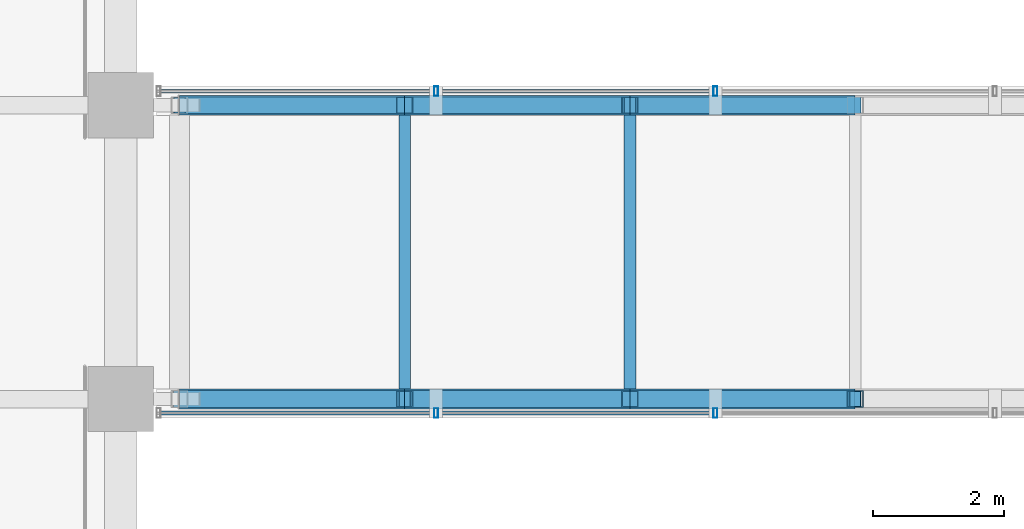
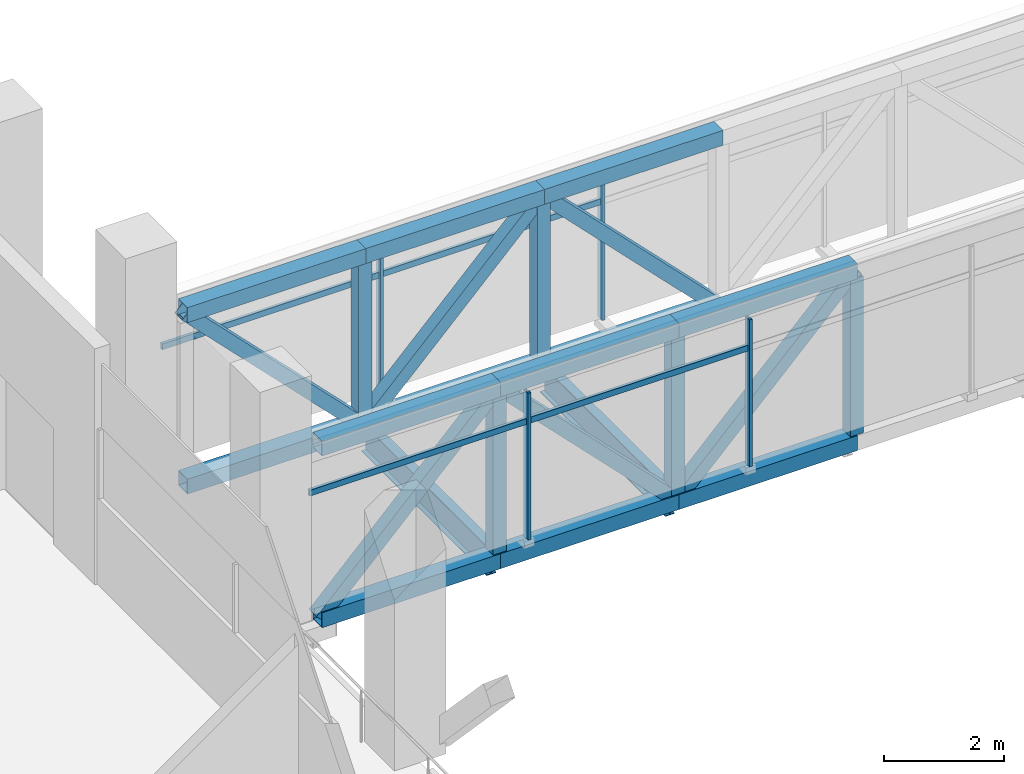
# One storey, part 13 of 48: 31 members, 2 beams, 2 elements without a shape of their own.
"""IFC4 building model written with IfcOpenShell, lengths in metres."""

from ifc_helpers import new_model, si_unit, direction, frame, origin, origin_2d, place, context, subcontext, project, spatial, hollow_rectangle, i_section, extrude, material, material_profile, profile_set, type_object, element, aggregate, save


model = new_model("IFC4")

# Units and contexts
model_context = context("Model", 3, precision=1e-05, world=origin(), true_north=direction((0.0, 1.0)))
body_context = subcontext(model_context, "Body", "Model", "MODEL_VIEW")
ifc_project = project(units=[si_unit("LENGTHUNIT", "METRE"), si_unit("AREAUNIT", "SQUARE_METRE"), si_unit("VOLUMEUNIT", "CUBIC_METRE"), si_unit("PLANEANGLEUNIT", "RADIAN"), si_unit("MASSUNIT", "GRAM", prefix="KILO")], contexts=[model_context])

# Site, building, storey
site_placement = place(None, origin())
site = spatial("IfcSite", under=ifc_project, at=site_placement, CompositionType="ELEMENT")
building_placement = place(site_placement, origin())
building = spatial("IfcBuilding", under=site, at=building_placement, Name="Altepetl Exchange Towers", CompositionType="ELEMENT")
storey_placement = place(building_placement, frame((0.0, 0.0, 138.800048828125)))
storey = spatial("IfcBuildingStorey", under=building, at=storey_placement, Name="L34 Refuge and sky lobby", CompositionType="ELEMENT", Elevation=138.800048828125)

# Members
ifc_material_1 = material(Name="Steel S355", Category="steel")
ifc_material_profile_1 = material_profile(ifc_material_1, hollow_rectangle(XDim=0.304931640625, YDim=0.304931640625, WallThickness=0.01171875, at=origin_2d()), Name="HSS305X305X12.7")
ifc_profile_set_1 = profile_set([ifc_material_profile_1], Name="Steel S355")
member_type_1 = type_object("IfcMemberType", Name="Bridge chord HSS305X305X12.7", PredefinedType="CHORD", material=ifc_profile_set_1)
for number, where, z_axis, x_axis, name in (
    (1, (72.89990234375, 45.0, -0.3525390625), (1.0, 0.0, 0.0), (0.0, 1.0, 0.0), "tr:X:L34:bc-s0"),
    (2, (72.89990234375, 45.0, 3.15234375), (1.0, 0.0, 0.0), (0.0, 1.0, 0.0), "tr:X:L34:tc-s0"),
):
    element("IfcMember", number, at=place(storey_placement, frame(where, z_axis=z_axis, x_axis=x_axis)), inside=storey, type_object=member_type_1, Name=name, PredefinedType="CHORD", context=body_context, shape_type="SweptSolid", body=[
        extrude(hollow_rectangle(XDim=0.304931640625, YDim=0.304931640625, WallThickness=0.01171875, at=origin_2d()), origin(), (0.0, 0.0, 1.0), 3.4501953125),
    ])
for number, where, z_axis, x_axis, name in (
    (3, (76.35009765625, 45.0, -0.3525390625), (1.0, 0.0, 0.0), (0.0, 1.0, 0.0), "tr:X:L34:bc-s1"),
    (4, (76.35009765625, 45.0, 3.15234375), (1.0, 0.0, 0.0), (0.0, 1.0, 0.0), "tr:X:L34:tc-s1"),
    (5, (79.800048828125, 45.0, -0.3525390625), (1.0, 0.0, 0.0), (0.0, 1.0, 0.0), "tr:X:L34:bc-s2"),
    (6, (79.800048828125, 45.0, 3.15234375), (1.0, 0.0, 0.0), (0.0, 1.0, 0.0), "tr:X:L34:tc-s2"),
):
    element("IfcMember", number, at=place(storey_placement, frame(where, z_axis=z_axis, x_axis=x_axis)), inside=storey, type_object=member_type_1, Name=name, PredefinedType="CHORD", context=body_context, shape_type="SweptSolid", body=[
        extrude(hollow_rectangle(XDim=0.304931640625, YDim=0.304931640625, WallThickness=0.01171875, at=origin_2d()), origin(), (0.0, 0.0, 1.0), 3.449951171875),
    ])
for number, where, z_axis, x_axis, name in (
    (7, (72.89990234375, 49.5, -0.3525390625), (1.0, 0.0, 0.0), (0.0, 1.0, 0.0), "tr:X:L34:bc-n0"),
    (8, (72.89990234375, 49.5, 3.15234375), (1.0, 0.0, 0.0), (0.0, 1.0, 0.0), "tr:X:L34:tc-n0"),
):
    element("IfcMember", number, at=place(storey_placement, frame(where, z_axis=z_axis, x_axis=x_axis)), inside=storey, type_object=member_type_1, Name=name, PredefinedType="CHORD", context=body_context, shape_type="SweptSolid", body=[
        extrude(hollow_rectangle(XDim=0.304931640625, YDim=0.304931640625, WallThickness=0.01171875, at=origin_2d()), origin(), (0.0, 0.0, 1.0), 3.4501953125),
    ])
for number, where, z_axis, x_axis, name in (
    (9, (76.35009765625, 49.5, -0.3525390625), (1.0, 0.0, 0.0), (0.0, 1.0, 0.0), "tr:X:L34:bc-n1"),
    (10, (76.35009765625, 49.5, 3.15234375), (1.0, 0.0, 0.0), (0.0, 1.0, 0.0), "tr:X:L34:tc-n1"),
    (11, (79.800048828125, 49.5, -0.3525390625), (1.0, 0.0, 0.0), (0.0, 1.0, 0.0), "tr:X:L34:bc-n2"),
    (12, (79.800048828125, 49.5, 3.15234375), (1.0, 0.0, 0.0), (0.0, 1.0, 0.0), "tr:X:L34:tc-n2"),
):
    element("IfcMember", number, at=place(storey_placement, frame(where, z_axis=z_axis, x_axis=x_axis)), inside=storey, type_object=member_type_1, Name=name, PredefinedType="CHORD", context=body_context, shape_type="SweptSolid", body=[
        extrude(hollow_rectangle(XDim=0.304931640625, YDim=0.304931640625, WallThickness=0.01171875, at=origin_2d()), origin(), (0.0, 0.0, 1.0), 3.449951171875),
    ])

# Beams
ifc_material_profile_2 = material_profile(ifc_material_1, i_section(OverallWidth=0.178955078125, OverallDepth=0.60302734375, WebThickness=0.010986328125, FlangeThickness=0.014892578125, at=origin_2d()), Name="W24X62")
ifc_profile_set_2 = profile_set([ifc_material_profile_2], Name="Steel S355")
beam_type = type_object("IfcBeamType", Name="Bridge deck beam W24X62", PredefinedType="BEAM", material=ifc_profile_set_2)
for number, where, z_axis, x_axis, name in (
    (13, (76.35009765625, 45.152587890625, -0.50146484375), (0.0, 1.0, 0.0), (-1.0, 0.0, 0.0), "bm:X:L34:cb1"),
    (14, (79.800048828125, 45.152587890625, -0.50146484375), (0.0, 1.0, 0.0), (-1.0, 0.0, 0.0), "bm:X:L34:cb2"),
):
    element("IfcBeam", number, at=place(storey_placement, frame(where, z_axis=z_axis, x_axis=x_axis)), inside=storey, type_object=beam_type, Name=name, PredefinedType="BEAM", context=body_context, shape_type="SweptSolid", body=[
        extrude(i_section(OverallWidth=0.178955078125, OverallDepth=0.60302734375, WebThickness=0.010986328125, FlangeThickness=0.014892578125, at=origin_2d()), origin(), (0.0, 0.0, 1.0), 4.19482421875),
    ])

# Members
ifc_material_profile_3 = material_profile(ifc_material_1, hollow_rectangle(XDim=0.25390625, YDim=0.25390625, WallThickness=0.01171875, at=origin_2d()), Name="HSS254X254X12.7")
ifc_profile_set_3 = profile_set([ifc_material_profile_3], Name="Steel S355")
member_type_2 = type_object("IfcMemberType", Name="Bridge diagonal HSS254X254X12.7", PredefinedType="BRACE", material=ifc_profile_set_3)
member_1_placement = place(storey_placement, frame((72.89990234375, 45.0, -0.3525390625), z_axis=(0.701525143002, 0.0, 0.712644703717), x_axis=(0.0, 1.0, 0.0)))
element("IfcMember", 15, at=member_1_placement, inside=storey, type_object=member_type_2, Name="tr:X:L34:dg-s0", PredefinedType="BRACE", context=body_context, shape_type="SweptSolid", body=[
    extrude(hollow_rectangle(XDim=0.25390625, YDim=0.25390625, WallThickness=0.01171875, at=origin_2d()), origin(), (0.0, 0.0, 1.0), 4.918212890625),
])
for number, where, z_axis, x_axis, name in (
    (16, (76.35009765625, 45.0, 3.15234375), (0.701499930937, 0.0, -0.712669521515), (0.0, 1.0, 0.0), "tr:X:L34:dg-s1"),
    (17, (79.800048828125, 45.0, -0.3525390625), (0.701499930937, 0.0, 0.712669521515), (0.0, 1.0, 0.0), "tr:X:L34:dg-s2"),
):
    element("IfcMember", number, at=place(storey_placement, frame(where, z_axis=z_axis, x_axis=x_axis)), inside=storey, type_object=member_type_2, Name=name, PredefinedType="BRACE", context=body_context, shape_type="SweptSolid", body=[
        extrude(hollow_rectangle(XDim=0.25390625, YDim=0.25390625, WallThickness=0.01171875, at=origin_2d()), origin(), (0.0, 0.0, 1.0), 4.91796875),
    ])
member_2_placement = place(storey_placement, frame((72.89990234375, 49.5, 3.15234375), z_axis=(0.701525143002, 0.0, -0.712644703717), x_axis=(0.0, 1.0, 0.0)))
element("IfcMember", 18, at=member_2_placement, inside=storey, type_object=member_type_2, Name="tr:X:L34:dg-n0", PredefinedType="BRACE", context=body_context, shape_type="SweptSolid", body=[
    extrude(hollow_rectangle(XDim=0.25390625, YDim=0.25390625, WallThickness=0.01171875, at=origin_2d()), origin(), (0.0, 0.0, 1.0), 4.918212890625),
])
for number, where, z_axis, x_axis, name in (
    (19, (76.35009765625, 49.5, -0.3525390625), (0.701499930937, 0.0, 0.712669521515), (0.0, 1.0, 0.0), "tr:X:L34:dg-n1"),
    (20, (79.800048828125, 49.5, 3.15234375), (0.701499930937, 0.0, -0.712669521515), (0.0, 1.0, 0.0), "tr:X:L34:dg-n2"),
):
    element("IfcMember", number, at=place(storey_placement, frame(where, z_axis=z_axis, x_axis=x_axis)), inside=storey, type_object=member_type_2, Name=name, PredefinedType="BRACE", context=body_context, shape_type="SweptSolid", body=[
        extrude(hollow_rectangle(XDim=0.25390625, YDim=0.25390625, WallThickness=0.01171875, at=origin_2d()), origin(), (0.0, 0.0, 1.0), 4.91796875),
    ])
ifc_material_profile_4 = material_profile(ifc_material_1, hollow_rectangle(XDim=0.25390625, YDim=0.25390625, WallThickness=0.01171875, at=origin_2d()), Name="HSS254X254X12.7")
ifc_profile_set_4 = profile_set([ifc_material_profile_4], Name="Steel S355")
member_type_3 = type_object("IfcMemberType", Name="Bridge post HSS254X254X12.7", PredefinedType="POST", material=ifc_profile_set_4)
for number, where, name in (
    (21, (76.35009765625, 45.0, -0.199951171875), "tr:X:L34:ps-s1"),
    (22, (79.800048828125, 45.0, -0.199951171875), "tr:X:L34:ps-s2"),
    (23, (83.25, 45.0, -0.199951171875), "tr:X:L34:ps-s3"),
    (24, (76.35009765625, 49.5, -0.199951171875), "tr:X:L34:ps-n1"),
    (25, (79.800048828125, 49.5, -0.199951171875), "tr:X:L34:ps-n2"),
):
    element("IfcMember", number, at=place(storey_placement, frame(where)), inside=storey, type_object=member_type_3, Name=name, PredefinedType="POST", context=body_context, shape_type="SweptSolid", body=[
        extrude(hollow_rectangle(XDim=0.25390625, YDim=0.25390625, WallThickness=0.01171875, at=origin_2d()), origin(), (0.0, 0.0, 1.0), 3.199951171875),
    ])

# Curtain wall, members
ifc_material_2 = material(Name="Aluminium 6063-T6 glazing", Category="aluminium")
curtain_wall_type = type_object("IfcCurtainWallType", Name="Bridge enclosure system", PredefinedType="NOTDEFINED", material=ifc_material_2)
curtain_wall_1_placement = place(storey_placement, origin())
curtain_wall_1 = element("IfcCurtainWall", 26, at=curtain_wall_1_placement, inside=storey, type_object=curtain_wall_type, Name="CW6 run", PredefinedType="NOTDEFINED")
ifc_material_3 = material(Name="Aluminium 6063-T6", Category="aluminium")
ifc_material_profile_5 = material_profile(ifc_material_3, hollow_rectangle(XDim=0.06005859375, YDim=0.14990234375, WallThickness=0.0029296875, at=origin_2d()), Name="Mullion 60x150 aluminium")
ifc_profile_set_5 = profile_set([ifc_material_profile_5], Name="Aluminium 6063-T6")
member_type_4 = type_object("IfcMemberType", Name="Mullion 60x150 aluminium", PredefinedType="MULLION", material=ifc_profile_set_5)
member_3_placement = place(storey_placement, frame((76.830078125, 44.784912109375, 0.0)))
member_3 = element("IfcMember", 27, at=member_3_placement, type_object=member_type_4, Name="MU1 mullion", PredefinedType="MULLION", context=body_context, shape_type="SweptSolid", body=[
    extrude(hollow_rectangle(XDim=0.06005859375, YDim=0.14990234375, WallThickness=0.0029296875, at=origin_2d()), origin(), (0.0, 0.0, 1.0), 3.0),
])
member_4_placement = place(storey_placement, frame((81.110107421875, 44.784912109375, 0.0)))
member_4 = element("IfcMember", 28, at=member_4_placement, type_object=member_type_4, Name="MU1 mullion", PredefinedType="MULLION", context=body_context, shape_type="SweptSolid", body=[
    extrude(hollow_rectangle(XDim=0.06005859375, YDim=0.14990234375, WallThickness=0.0029296875, at=origin_2d()), origin(), (0.0, 0.0, 1.0), 3.0),
])

curtain_wall_2_placement = place(storey_placement, origin())
curtain_wall_2 = element("IfcCurtainWall", 29, at=curtain_wall_2_placement, inside=storey, type_object=curtain_wall_type, Name="CW6 run", PredefinedType="NOTDEFINED")
member_5_placement = place(storey_placement, frame((76.830078125, 49.715087890625, 0.0)))
member_5 = element("IfcMember", 30, at=member_5_placement, type_object=member_type_4, Name="MU1 mullion", PredefinedType="MULLION", context=body_context, shape_type="SweptSolid", body=[
    extrude(hollow_rectangle(XDim=0.06005859375, YDim=0.14990234375, WallThickness=0.0029296875, at=origin_2d()), origin(), (0.0, 0.0, 1.0), 3.0),
])
member_6_placement = place(storey_placement, frame((81.110107421875, 49.715087890625, 0.0)))
member_6 = element("IfcMember", 31, at=member_6_placement, type_object=member_type_4, Name="MU1 mullion", PredefinedType="MULLION", context=body_context, shape_type="SweptSolid", body=[
    extrude(hollow_rectangle(XDim=0.06005859375, YDim=0.14990234375, WallThickness=0.0029296875, at=origin_2d()), origin(), (0.0, 0.0, 1.0), 3.0),
])

# Member
ifc_material_profile_6 = material_profile(ifc_material_3, hollow_rectangle(XDim=0.06005859375, YDim=0.1201171875, WallThickness=0.0029296875, at=origin_2d()), Name="Transom 60x120 aluminium")
ifc_profile_set_6 = profile_set([ifc_material_profile_6], Name="Aluminium 6063-T6")
member_type_5 = type_object("IfcMemberType", Name="Transom 60x120 aluminium", PredefinedType="USERDEFINED", material=ifc_profile_set_6)
member_7_placement = place(storey_placement, frame((72.610107421875, 44.784912109375, 2.39990234375), z_axis=(1.0, 0.0, 0.0), x_axis=(0.0, 1.0, 0.0)))
member_7 = element("IfcMember", 32, at=member_7_placement, type_object=member_type_5, Name="TR1 transom", ObjectType="TRANSOM", PredefinedType="USERDEFINED", context=body_context, shape_type="SweptSolid", body=[
    extrude(hollow_rectangle(XDim=0.06005859375, YDim=0.1201171875, WallThickness=0.0029296875, at=origin_2d()), origin(), (0.0, 0.0, 1.0), 4.18994140625),
])

member_8_placement = place(storey_placement, frame((76.860107421875, 44.784912109375, 2.39990234375), z_axis=(1.0, 0.0, 0.0), x_axis=(0.0, 1.0, 0.0)))
member_8 = element("IfcMember", 33, at=member_8_placement, type_object=member_type_5, Name="TR1 transom", ObjectType="TRANSOM", PredefinedType="USERDEFINED", context=body_context, shape_type="SweptSolid", body=[
    extrude(hollow_rectangle(XDim=0.06005859375, YDim=0.1201171875, WallThickness=0.0029296875, at=origin_2d()), origin(), (0.0, 0.0, 1.0), 4.219970703125),
])

aggregate(curtain_wall_1, [member_3, member_4, member_7, member_8])

member_9_placement = place(storey_placement, frame((72.610107421875, 49.715087890625, 2.39990234375), z_axis=(1.0, 0.0, 0.0), x_axis=(0.0, 1.0, 0.0)))
member_9 = element("IfcMember", 34, at=member_9_placement, type_object=member_type_5, Name="TR1 transom", ObjectType="TRANSOM", PredefinedType="USERDEFINED", context=body_context, shape_type="SweptSolid", body=[
    extrude(hollow_rectangle(XDim=0.06005859375, YDim=0.1201171875, WallThickness=0.0029296875, at=origin_2d()), origin(), (0.0, 0.0, 1.0), 4.18994140625),
])

member_10_placement = place(storey_placement, frame((76.860107421875, 49.715087890625, 2.39990234375), z_axis=(1.0, 0.0, 0.0), x_axis=(0.0, 1.0, 0.0)))
member_10 = element("IfcMember", 35, at=member_10_placement, type_object=member_type_5, Name="TR1 transom", ObjectType="TRANSOM", PredefinedType="USERDEFINED", context=body_context, shape_type="SweptSolid", body=[
    extrude(hollow_rectangle(XDim=0.06005859375, YDim=0.1201171875, WallThickness=0.0029296875, at=origin_2d()), origin(), (0.0, 0.0, 1.0), 4.219970703125),
])

aggregate(curtain_wall_2, [member_5, member_6, member_9, member_10])

save(model, "model.ifc")
